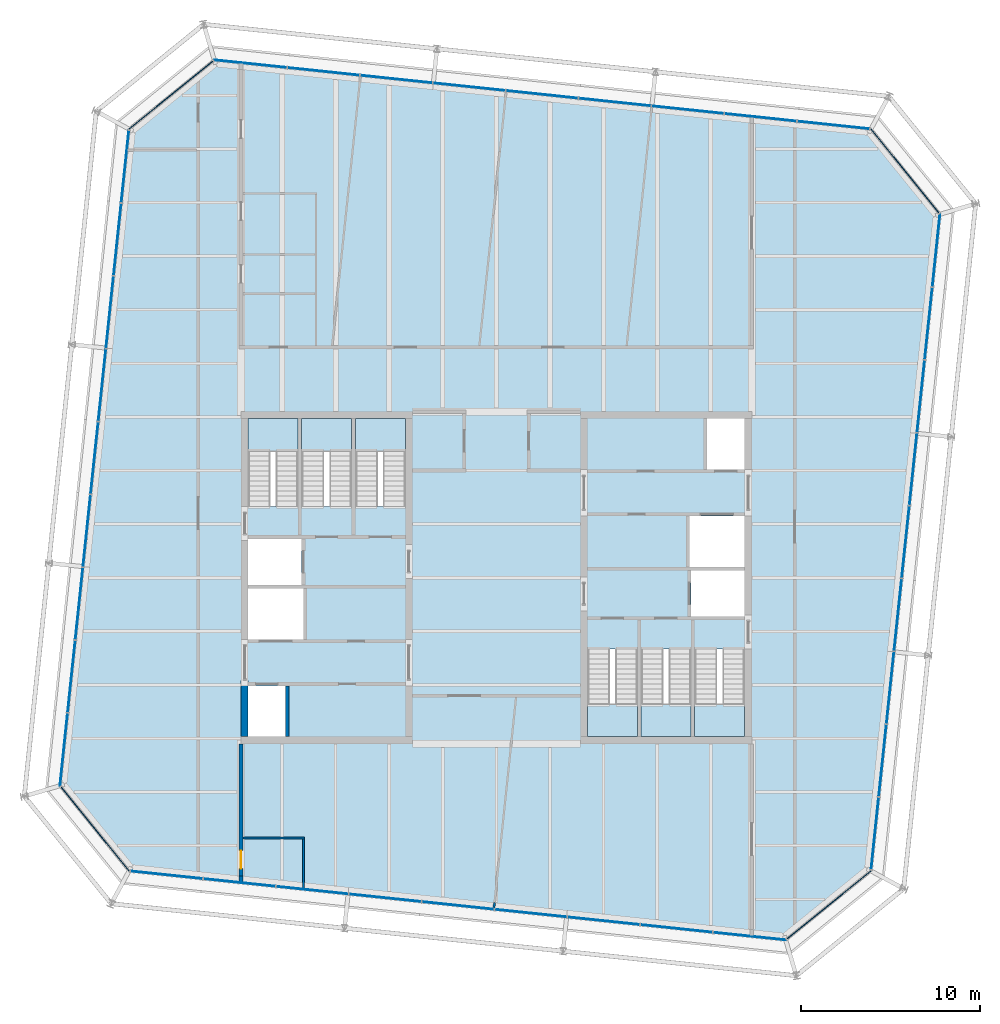
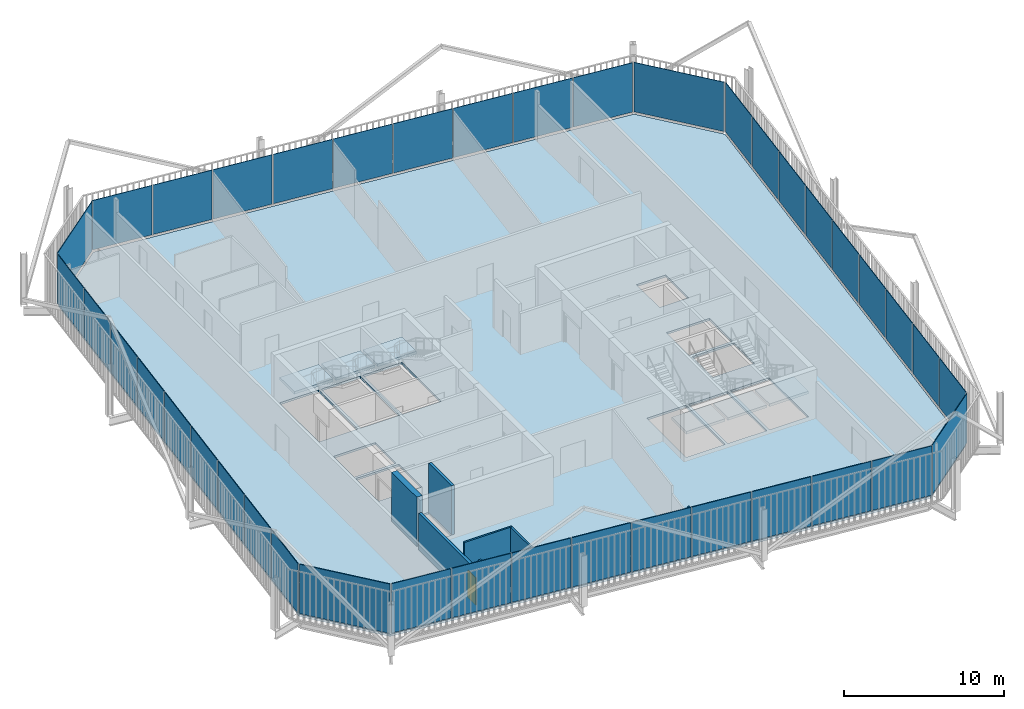
# One storey, part 16 of 21: 40 plates, 7 slabs, 7 walls, 1 door, 1 opening, 14 elements without a shape of their own.
"""IFC4 building model written with IfcOpenShell, lengths in metres."""

from ifc_helpers import new_model, si_unit, direction, frame, frame_2d, origin, place, context, subcontext, project, spatial, polyline, rectangle, outline, extrude, material, layer, layer_set, type_object, element, fill, aggregate, save


model = new_model("IFC4")

# Units and contexts
model_context = context("Model", 3, precision=1e-05, world=origin(), true_north=direction((0.0, 1.0)))
body_context = subcontext(model_context, "Body", "Model", "MODEL_VIEW")
ifc_project = project(units=[si_unit("LENGTHUNIT", "METRE"), si_unit("AREAUNIT", "SQUARE_METRE"), si_unit("VOLUMEUNIT", "CUBIC_METRE"), si_unit("PLANEANGLEUNIT", "RADIAN"), si_unit("MASSUNIT", "GRAM", prefix="KILO")], contexts=[model_context])

# Site, building, storey
site_placement = place(None, origin())
site = spatial("IfcSite", under=ifc_project, at=site_placement, CompositionType="ELEMENT")
building_placement = place(site_placement, origin())
building = spatial("IfcBuilding", under=site, at=building_placement, Name="Millrace Tower", CompositionType="ELEMENT")
storey_placement = place(building_placement, frame((0.0, 0.0, 334.300048828125)))
storey = spatial("IfcBuildingStorey", under=building, at=storey_placement, Name="L77", CompositionType="ELEMENT", Elevation=334.300048828125)

# Curtain wall, plate
ifc_material_1 = material(Name="Aluminium and glass", Category="aluminium")
ifc_layer_1 = layer(ifc_material_1, 0.14990234375)
ifc_layer_set_1 = layer_set([ifc_layer_1], Name="Aluminium and glass")
curtain_wall_type = type_object("IfcCurtainWallType", Name="CW-1 office vision curtain wall", PredefinedType="NOTDEFINED", material=ifc_layer_set_1)
placement_1 = place(storey_placement, origin())
curtain_wall_1 = element("IfcCurtainWall", 1, at=placement_1, inside=storey, type_object=curtain_wall_type, Name="Curtain wall E-F01 L77", PredefinedType="NOTDEFINED")
ifc_material_2 = material(Name="Glass", Category="glass")
ifc_layer_2 = layer(ifc_material_2, 0.0439453125)
ifc_layer_set_2 = layer_set([ifc_layer_2], Name="Glass")
plate_type = type_object("IfcPlateType", Name="CW-1 office vision curtain wall triple-glazed vision panel", PredefinedType="CURTAIN_PANEL", material=ifc_layer_set_2)
placement_2 = place(storey_placement, frame((0.0, 0.0, 0.139892578125)))
plate_1 = element("IfcPlate", 2, at=placement_2, type_object=plate_type, Name="CW1 panel E-F01.1", PredefinedType="CURTAIN_PANEL", context=body_context, shape_type="SweptSolid", body=[
    extrude(outline(polyline([(-24.388427734375, -11.732421875), (-20.5771484375, -16.439208984375), (-20.554443359375, -16.397216796875), (-24.354248046875, -11.704833984375), (-24.388427734375, -11.732421875)])), origin(), (0.0, 0.0, 1.0), 3.760009765625),
])
aggregate(curtain_wall_1, [plate_1])

# Curtain wall, plates
curtain_wall_2 = element("IfcCurtainWall", 3, at=placement_1, inside=storey, type_object=curtain_wall_type, Name="Curtain wall E-F02 L77", PredefinedType="NOTDEFINED")
plate_2 = element("IfcPlate", 4, at=placement_2, type_object=plate_type, Name="CW1 panel E-F02.1", PredefinedType="CURTAIN_PANEL", context=body_context, shape_type="SweptSolid", body=[
    extrude(outline(polyline([(-20.472412109375, -16.4501953125), (-16.45947265625, -16.871826171875), (-16.454833984375, -16.828125), (-20.4677734375, -16.40625), (-20.472412109375, -16.4501953125)])), origin(), (0.0, 0.0, 1.0), 3.760009765625),
])
plate_3 = element("IfcPlate", 5, at=placement_2, type_object=plate_type, Name="CW1 panel E-F02.2", PredefinedType="CURTAIN_PANEL", context=body_context, shape_type="SweptSolid", body=[
    extrude(outline(polyline([(-16.39501953125, -16.878662109375), (-12.382080078125, -17.300537109375), (-12.37744140625, -17.256591796875), (-16.390380859375, -16.8349609375), (-16.39501953125, -16.878662109375)])), origin(), (0.0, 0.0, 1.0), 3.760009765625),
])
plate_4 = element("IfcPlate", 6, at=placement_2, type_object=plate_type, Name="CW1 panel E-F02.3", PredefinedType="CURTAIN_PANEL", context=body_context, shape_type="SweptSolid", body=[
    extrude(outline(polyline([(-12.3173828125, -17.30712890625), (-8.304443359375, -17.72900390625), (-8.2998046875, -17.685302734375), (-12.312744140625, -17.263427734375), (-12.3173828125, -17.30712890625)])), origin(), (0.0, 0.0, 1.0), 3.760009765625),
])
plate_5 = element("IfcPlate", 7, at=placement_2, type_object=plate_type, Name="CW1 panel E-F02.4", PredefinedType="CURTAIN_PANEL", context=body_context, shape_type="SweptSolid", body=[
    extrude(outline(polyline([(-8.23974609375, -17.73583984375), (-4.22705078125, -18.157470703125), (-4.222412109375, -18.11376953125), (-8.235107421875, -17.692138671875), (-8.23974609375, -17.73583984375)])), origin(), (0.0, 0.0, 1.0), 3.760009765625),
])
plate_6 = element("IfcPlate", 8, at=placement_2, type_object=plate_type, Name="CW1 panel E-F02.5", PredefinedType="CURTAIN_PANEL", context=body_context, shape_type="SweptSolid", body=[
    extrude(outline(polyline([(-4.162353515625, -18.164306640625), (-0.1494140625, -18.586181640625), (-0.144775390625, -18.54248046875), (-4.15771484375, -18.12060546875), (-4.162353515625, -18.164306640625)])), origin(), (0.0, 0.0, 1.0), 3.760009765625),
])
plate_7 = element("IfcPlate", 9, at=placement_2, type_object=plate_type, Name="CW1 panel E-F02.6", PredefinedType="CURTAIN_PANEL", context=body_context, shape_type="SweptSolid", body=[
    extrude(outline(polyline([(-0.084716796875, -18.593017578125), (3.92822265625, -19.0146484375), (3.932861328125, -18.970947265625), (-0.080078125, -18.549072265625), (-0.084716796875, -18.593017578125)])), origin(), (0.0, 0.0, 1.0), 3.760009765625),
])
plate_8 = element("IfcPlate", 10, at=placement_2, type_object=plate_type, Name="CW1 panel E-F02.7", PredefinedType="CURTAIN_PANEL", context=body_context, shape_type="SweptSolid", body=[
    extrude(outline(polyline([(3.99267578125, -19.021484375), (8.005615234375, -19.443359375), (8.01025390625, -19.3994140625), (3.997314453125, -18.977783203125), (3.99267578125, -19.021484375)])), origin(), (0.0, 0.0, 1.0), 3.760009765625),
])
plate_9 = element("IfcPlate", 11, at=placement_2, type_object=plate_type, Name="CW1 panel E-F02.8", PredefinedType="CURTAIN_PANEL", context=body_context, shape_type="SweptSolid", body=[
    extrude(outline(polyline([(8.0703125, -19.449951171875), (12.083251953125, -19.871826171875), (12.087890625, -19.828125), (8.074951171875, -19.40625), (8.0703125, -19.449951171875)])), origin(), (0.0, 0.0, 1.0), 3.760009765625),
])
plate_10 = element("IfcPlate", 12, at=placement_2, type_object=plate_type, Name="CW1 panel E-F02.9", PredefinedType="CURTAIN_PANEL", context=body_context, shape_type="SweptSolid", body=[
    extrude(outline(polyline([(12.14794921875, -19.878662109375), (16.20068359375, -20.3046875), (16.187255859375, -20.259033203125), (12.152587890625, -19.8349609375), (12.14794921875, -19.878662109375)])), origin(), (0.0, 0.0, 1.0), 3.760009765625),
])
aggregate(curtain_wall_2, [plate_2, plate_3, plate_4, plate_5, plate_6, plate_7, plate_8, plate_9, plate_10])

# Curtain wall, plate
curtain_wall_3 = element("IfcCurtainWall", 13, at=placement_1, inside=storey, type_object=curtain_wall_type, Name="Curtain wall E-F03 L77", PredefinedType="NOTDEFINED")
plate_11 = element("IfcPlate", 14, at=placement_2, type_object=plate_type, Name="CW1 panel E-F03.1", PredefinedType="CURTAIN_PANEL", context=body_context, shape_type="SweptSolid", body=[
    extrude(outline(polyline([(16.282470703125, -20.23828125), (20.989013671875, -16.427001953125), (20.947265625, -16.404296875), (16.2548828125, -20.2041015625), (16.282470703125, -20.23828125)])), origin(), (0.0, 0.0, 1.0), 3.760009765625),
])
aggregate(curtain_wall_3, [plate_11])

# Curtain wall, plates
curtain_wall_4 = element("IfcCurtainWall", 15, at=placement_1, inside=storey, type_object=curtain_wall_type, Name="Curtain wall E-F04 L77", PredefinedType="NOTDEFINED")
plate_12 = element("IfcPlate", 16, at=placement_2, type_object=plate_type, Name="CW1 panel E-F04.1", PredefinedType="CURTAIN_PANEL", context=body_context, shape_type="SweptSolid", body=[
    extrude(outline(polyline([(21.0, -16.322509765625), (21.421875, -12.3095703125), (21.378173828125, -12.304931640625), (20.956298828125, -16.31787109375), (21.0, -16.322509765625)])), origin(), (0.0, 0.0, 1.0), 3.760009765625),
])
plate_13 = element("IfcPlate", 17, at=placement_2, type_object=plate_type, Name="CW1 panel E-F04.2", PredefinedType="CURTAIN_PANEL", context=body_context, shape_type="SweptSolid", body=[
    extrude(outline(polyline([(21.4287109375, -12.244873046875), (21.850341796875, -8.23193359375), (21.806640625, -8.227294921875), (21.385009765625, -12.240234375), (21.4287109375, -12.244873046875)])), origin(), (0.0, 0.0, 1.0), 3.760009765625),
])
plate_14 = element("IfcPlate", 18, at=placement_2, type_object=plate_type, Name="CW1 panel E-F04.3", PredefinedType="CURTAIN_PANEL", context=body_context, shape_type="SweptSolid", body=[
    extrude(outline(polyline([(21.857177734375, -8.16748046875), (22.279052734375, -4.154541015625), (22.2353515625, -4.14990234375), (21.8134765625, -8.162841796875), (21.857177734375, -8.16748046875)])), origin(), (0.0, 0.0, 1.0), 3.760009765625),
])
plate_15 = element("IfcPlate", 19, at=placement_2, type_object=plate_type, Name="CW1 panel E-F04.4", PredefinedType="CURTAIN_PANEL", context=body_context, shape_type="SweptSolid", body=[
    extrude(outline(polyline([(22.285888671875, -4.08984375), (22.70751953125, -0.076904296875), (22.663818359375, -0.072265625), (22.241943359375, -4.085205078125), (22.285888671875, -4.08984375)])), origin(), (0.0, 0.0, 1.0), 3.760009765625),
])
plate_16 = element("IfcPlate", 20, at=placement_2, type_object=plate_type, Name="CW1 panel E-F04.5", PredefinedType="CURTAIN_PANEL", context=body_context, shape_type="SweptSolid", body=[
    extrude(outline(polyline([(22.71435546875, -0.01220703125), (23.13623046875, 4.00048828125), (23.09228515625, 4.005126953125), (22.670654296875, -0.007568359375), (22.71435546875, -0.01220703125)])), origin(), (0.0, 0.0, 1.0), 3.760009765625),
])
plate_17 = element("IfcPlate", 21, at=placement_2, type_object=plate_type, Name="CW1 panel E-F04.6", PredefinedType="CURTAIN_PANEL", context=body_context, shape_type="SweptSolid", body=[
    extrude(outline(polyline([(23.142822265625, 4.065185546875), (23.564697265625, 8.078125), (23.52099609375, 8.082763671875), (23.09912109375, 4.06982421875), (23.142822265625, 4.065185546875)])), origin(), (0.0, 0.0, 1.0), 3.760009765625),
])
plate_18 = element("IfcPlate", 22, at=placement_2, type_object=plate_type, Name="CW1 panel E-F04.7", PredefinedType="CURTAIN_PANEL", context=body_context, shape_type="SweptSolid", body=[
    extrude(outline(polyline([(23.571533203125, 8.142822265625), (23.9931640625, 12.15576171875), (23.949462890625, 12.160400390625), (23.52783203125, 8.1474609375), (23.571533203125, 8.142822265625)])), origin(), (0.0, 0.0, 1.0), 3.760009765625),
])
plate_19 = element("IfcPlate", 23, at=placement_2, type_object=plate_type, Name="CW1 panel E-F04.8", PredefinedType="CURTAIN_PANEL", context=body_context, shape_type="SweptSolid", body=[
    extrude(outline(polyline([(24.0, 12.22021484375), (24.421875, 16.233154296875), (24.378173828125, 16.23779296875), (23.956298828125, 12.224853515625), (24.0, 12.22021484375)])), origin(), (0.0, 0.0, 1.0), 3.760009765625),
])
plate_20 = element("IfcPlate", 24, at=placement_2, type_object=plate_type, Name="CW1 panel E-F04.9", PredefinedType="CURTAIN_PANEL", context=body_context, shape_type="SweptSolid", body=[
    extrude(outline(polyline([(24.4287109375, 16.2978515625), (24.8544921875, 20.350830078125), (24.808837890625, 20.337158203125), (24.384765625, 16.302490234375), (24.4287109375, 16.2978515625)])), origin(), (0.0, 0.0, 1.0), 3.760009765625),
])
aggregate(curtain_wall_4, [plate_12, plate_13, plate_14, plate_15, plate_16, plate_17, plate_18, plate_19, plate_20])

# Curtain wall, plate
curtain_wall_5 = element("IfcCurtainWall", 25, at=placement_1, inside=storey, type_object=curtain_wall_type, Name="Curtain wall E-F05 L77", PredefinedType="NOTDEFINED")
plate_21 = element("IfcPlate", 26, at=placement_2, type_object=plate_type, Name="CW1 panel E-F05.1", PredefinedType="CURTAIN_PANEL", context=body_context, shape_type="SweptSolid", body=[
    extrude(outline(polyline([(24.788330078125, 20.432373046875), (20.97705078125, 25.13916015625), (20.954345703125, 25.09716796875), (24.754150390625, 20.40478515625), (24.788330078125, 20.432373046875)])), origin(), (0.0, 0.0, 1.0), 3.760009765625),
])
aggregate(curtain_wall_5, [plate_21])

# Curtain wall, plates
curtain_wall_6 = element("IfcCurtainWall", 27, at=placement_1, inside=storey, type_object=curtain_wall_type, Name="Curtain wall E-F06 L77", PredefinedType="NOTDEFINED")
plate_22 = element("IfcPlate", 28, at=placement_2, type_object=plate_type, Name="CW1 panel E-F06.1", PredefinedType="CURTAIN_PANEL", context=body_context, shape_type="SweptSolid", body=[
    extrude(outline(polyline([(20.87255859375, 25.150146484375), (16.859619140625, 25.57177734375), (16.85498046875, 25.528076171875), (20.867919921875, 25.1064453125), (20.87255859375, 25.150146484375)])), origin(), (0.0, 0.0, 1.0), 3.760009765625),
])
plate_23 = element("IfcPlate", 29, at=placement_2, type_object=plate_type, Name="CW1 panel E-F06.2", PredefinedType="CURTAIN_PANEL", context=body_context, shape_type="SweptSolid", body=[
    extrude(outline(polyline([(16.794921875, 25.57861328125), (12.781982421875, 26.00048828125), (12.77734375, 25.956787109375), (16.790283203125, 25.534912109375), (16.794921875, 25.57861328125)])), origin(), (0.0, 0.0, 1.0), 3.760009765625),
])
plate_24 = element("IfcPlate", 30, at=placement_2, type_object=plate_type, Name="CW1 panel E-F06.3", PredefinedType="CURTAIN_PANEL", context=body_context, shape_type="SweptSolid", body=[
    extrude(outline(polyline([(12.71728515625, 26.00732421875), (8.70458984375, 26.428955078125), (8.699951171875, 26.38525390625), (12.712646484375, 25.96337890625), (12.71728515625, 26.00732421875)])), origin(), (0.0, 0.0, 1.0), 3.760009765625),
])
plate_25 = element("IfcPlate", 31, at=placement_2, type_object=plate_type, Name="CW1 panel E-F06.4", PredefinedType="CURTAIN_PANEL", context=body_context, shape_type="SweptSolid", body=[
    extrude(outline(polyline([(8.639892578125, 26.435791015625), (4.626953125, 26.857666015625), (4.622314453125, 26.813720703125), (8.63525390625, 26.39208984375), (8.639892578125, 26.435791015625)])), origin(), (0.0, 0.0, 1.0), 3.760009765625),
])
plate_26 = element("IfcPlate", 32, at=placement_2, type_object=plate_type, Name="CW1 panel E-F06.5", PredefinedType="CURTAIN_PANEL", context=body_context, shape_type="SweptSolid", body=[
    extrude(outline(polyline([(4.562255859375, 26.8642578125), (0.54931640625, 27.2861328125), (0.544677734375, 27.242431640625), (4.5576171875, 26.820556640625), (4.562255859375, 26.8642578125)])), origin(), (0.0, 0.0, 1.0), 3.760009765625),
])
plate_27 = element("IfcPlate", 33, at=placement_2, type_object=plate_type, Name="CW1 panel E-F06.6", PredefinedType="CURTAIN_PANEL", context=body_context, shape_type="SweptSolid", body=[
    extrude(outline(polyline([(0.48486328125, 27.29296875), (-3.528076171875, 27.714599609375), (-3.53271484375, 27.6708984375), (0.480224609375, 27.249267578125), (0.48486328125, 27.29296875)])), origin(), (0.0, 0.0, 1.0), 3.760009765625),
])
plate_28 = element("IfcPlate", 34, at=placement_2, type_object=plate_type, Name="CW1 panel E-F06.7", PredefinedType="CURTAIN_PANEL", context=body_context, shape_type="SweptSolid", body=[
    extrude(outline(polyline([(-3.5927734375, 27.721435546875), (-7.605712890625, 28.143310546875), (-7.6103515625, 28.099609375), (-3.597412109375, 27.677734375), (-3.5927734375, 27.721435546875)])), origin(), (0.0, 0.0, 1.0), 3.760009765625),
])
plate_29 = element("IfcPlate", 35, at=placement_2, type_object=plate_type, Name="CW1 panel E-F06.8", PredefinedType="CURTAIN_PANEL", context=body_context, shape_type="SweptSolid", body=[
    extrude(outline(polyline([(-7.67041015625, 28.150146484375), (-11.68310546875, 28.57177734375), (-11.687744140625, 28.528076171875), (-7.675048828125, 28.106201171875), (-7.67041015625, 28.150146484375)])), origin(), (0.0, 0.0, 1.0), 3.760009765625),
])
plate_30 = element("IfcPlate", 36, at=placement_2, type_object=plate_type, Name="CW1 panel E-F06.9", PredefinedType="CURTAIN_PANEL", context=body_context, shape_type="SweptSolid", body=[
    extrude(outline(polyline([(-11.747802734375, 28.57861328125), (-15.80078125, 29.004638671875), (-15.787109375, 28.958984375), (-11.75244140625, 28.534912109375), (-11.747802734375, 28.57861328125)])), origin(), (0.0, 0.0, 1.0), 3.760009765625),
])
aggregate(curtain_wall_6, [plate_22, plate_23, plate_24, plate_25, plate_26, plate_27, plate_28, plate_29, plate_30])

# Curtain wall, plate
curtain_wall_7 = element("IfcCurtainWall", 37, at=placement_1, inside=storey, type_object=curtain_wall_type, Name="Curtain wall E-F07 L77", PredefinedType="NOTDEFINED")
plate_31 = element("IfcPlate", 38, at=placement_2, type_object=plate_type, Name="CW1 panel E-F07.1", PredefinedType="CURTAIN_PANEL", context=body_context, shape_type="SweptSolid", body=[
    extrude(outline(polyline([(-15.882568359375, 28.9384765625), (-20.589111328125, 25.126953125), (-20.547119140625, 25.104248046875), (-15.854736328125, 28.904296875), (-15.882568359375, 28.9384765625)])), origin(), (0.0, 0.0, 1.0), 3.760009765625),
])
aggregate(curtain_wall_7, [plate_31])

# Curtain wall, plates
curtain_wall_8 = element("IfcCurtainWall", 39, at=placement_1, inside=storey, type_object=curtain_wall_type, Name="Curtain wall E-F08 L77", PredefinedType="NOTDEFINED")
plate_32 = element("IfcPlate", 40, at=placement_2, type_object=plate_type, Name="CW1 panel E-F08.1", PredefinedType="CURTAIN_PANEL", context=body_context, shape_type="SweptSolid", body=[
    extrude(outline(polyline([(-20.60009765625, 25.0224609375), (-21.02197265625, 21.009521484375), (-20.97802734375, 21.0048828125), (-20.556396484375, 25.017822265625), (-20.60009765625, 25.0224609375)])), origin(), (0.0, 0.0, 1.0), 3.760009765625),
])
plate_33 = element("IfcPlate", 41, at=placement_2, type_object=plate_type, Name="CW1 panel E-F08.2", PredefinedType="CURTAIN_PANEL", context=body_context, shape_type="SweptSolid", body=[
    extrude(outline(polyline([(-21.028564453125, 20.94482421875), (-21.450439453125, 16.93212890625), (-21.40673828125, 16.927490234375), (-20.98486328125, 20.9404296875), (-21.028564453125, 20.94482421875)])), origin(), (0.0, 0.0, 1.0), 3.760009765625),
])
plate_34 = element("IfcPlate", 42, at=placement_2, type_object=plate_type, Name="CW1 panel E-F08.3", PredefinedType="CURTAIN_PANEL", context=body_context, shape_type="SweptSolid", body=[
    extrude(outline(polyline([(-21.457275390625, 16.867431640625), (-21.87890625, 12.8544921875), (-21.835205078125, 12.849853515625), (-21.41357421875, 16.86279296875), (-21.457275390625, 16.867431640625)])), origin(), (0.0, 0.0, 1.0), 3.760009765625),
])
plate_35 = element("IfcPlate", 43, at=placement_2, type_object=plate_type, Name="CW1 panel E-F08.4", PredefinedType="CURTAIN_PANEL", context=body_context, shape_type="SweptSolid", body=[
    extrude(outline(polyline([(-21.8857421875, 12.789794921875), (-22.3076171875, 8.77685546875), (-22.263916015625, 8.772216796875), (-21.842041015625, 12.78515625), (-21.8857421875, 12.789794921875)])), origin(), (0.0, 0.0, 1.0), 3.760009765625),
])
plate_36 = element("IfcPlate", 44, at=placement_2, type_object=plate_type, Name="CW1 panel E-F08.5", PredefinedType="CURTAIN_PANEL", context=body_context, shape_type="SweptSolid", body=[
    extrude(outline(polyline([(-22.314453125, 8.71240234375), (-22.736083984375, 4.699462890625), (-22.6923828125, 4.69482421875), (-22.2705078125, 8.707763671875), (-22.314453125, 8.71240234375)])), origin(), (0.0, 0.0, 1.0), 3.760009765625),
])
plate_37 = element("IfcPlate", 45, at=placement_2, type_object=plate_type, Name="CW1 panel E-F08.6", PredefinedType="CURTAIN_PANEL", context=body_context, shape_type="SweptSolid", body=[
    extrude(outline(polyline([(-22.742919921875, 4.634765625), (-23.164794921875, 0.621826171875), (-23.120849609375, 0.6171875), (-22.69921875, 4.630126953125), (-22.742919921875, 4.634765625)])), origin(), (0.0, 0.0, 1.0), 3.760009765625),
])
plate_38 = element("IfcPlate", 46, at=placement_2, type_object=plate_type, Name="CW1 panel E-F08.7", PredefinedType="CURTAIN_PANEL", context=body_context, shape_type="SweptSolid", body=[
    extrude(outline(polyline([(-23.17138671875, 0.55712890625), (-23.59326171875, -3.45556640625), (-23.549560546875, -3.460205078125), (-23.127685546875, 0.552490234375), (-23.17138671875, 0.55712890625)])), origin(), (0.0, 0.0, 1.0), 3.760009765625),
])
plate_39 = element("IfcPlate", 47, at=placement_2, type_object=plate_type, Name="CW1 panel E-F08.8", PredefinedType="CURTAIN_PANEL", context=body_context, shape_type="SweptSolid", body=[
    extrude(outline(polyline([(-23.60009765625, -3.520263671875), (-24.021728515625, -7.533203125), (-23.97802734375, -7.537841796875), (-23.556396484375, -3.52490234375), (-23.60009765625, -3.520263671875)])), origin(), (0.0, 0.0, 1.0), 3.760009765625),
])
plate_40 = element("IfcPlate", 48, at=placement_2, type_object=plate_type, Name="CW1 panel E-F08.9", PredefinedType="CURTAIN_PANEL", context=body_context, shape_type="SweptSolid", body=[
    extrude(outline(polyline([(-24.028564453125, -7.597900390625), (-24.45458984375, -11.650634765625), (-24.408935546875, -11.63720703125), (-23.98486328125, -7.6025390625), (-24.028564453125, -7.597900390625)])), origin(), (0.0, 0.0, 1.0), 3.760009765625),
])
aggregate(curtain_wall_8, [plate_32, plate_33, plate_34, plate_35, plate_36, plate_37, plate_38, plate_39, plate_40])

# Slab
ifc_material_3 = material(Name="Concrete C35 on steel deck", Category="concrete")
ifc_layer_3 = layer(ifc_material_3, 0.159912109375)
ifc_layer_set_3 = layer_set([ifc_layer_3], Name="Concrete C35 on steel deck")
slab_type_1 = type_object("IfcSlabType", Name="Composite floor slab 160 mm", PredefinedType="FLOOR", material=ifc_layer_set_3)
slab_1_placement = place(storey_placement, frame((0.0, 0.0, -0.16015625)))
element("IfcSlab", 49, at=slab_1_placement, inside=storey, type_object=slab_type_1, Name="SL-E-L77-S1", PredefinedType="FLOOR", context=body_context, shape_type="SweptSolid", body=[
    extrude(outline(polyline([(-24.35400390625, -11.620849609375), (-20.52685546875, -16.346923828125), (16.1708984375, -20.203857421875), (20.896728515625, -16.376953125), (24.75390625, 20.32080078125), (20.927001953125, 25.046875), (-15.77099609375, 28.90380859375), (-20.496826171875, 25.076904296875), (-24.35400390625, -11.620849609375)]), holes=[polyline([(-13.89990234375, -8.89990234375), (-11.800048828125, -8.89990234375), (-11.800048828125, -6.050048828125), (-13.89990234375, -6.050048828125), (-13.89990234375, -8.89990234375)]), polyline([(-13.89990234375, -3.449951171875), (-10.800048828125, -3.449951171875), (-10.800048828125, -0.60009765625), (-13.89990234375, -0.60009765625), (-13.89990234375, -3.449951171875)]), polyline([(-13.89990234375, -0.39990234375), (-10.89990234375, -0.39990234375), (-10.89990234375, 2.179931640625), (-13.89990234375, 2.179931640625), (-13.89990234375, -0.39990234375)]), polyline([(-13.89990234375, 4.0), (-11.10009765625, 4.0), (-11.10009765625, 8.89990234375), (-13.89990234375, 8.89990234375), (-13.89990234375, 4.0)]), polyline([(-10.89990234375, 4.0), (-8.10009765625, 4.0), (-8.10009765625, 8.89990234375), (-10.89990234375, 8.89990234375), (-10.89990234375, 4.0)]), polyline([(-7.89990234375, 4.0), (-5.10009765625, 4.0), (-5.10009765625, 8.89990234375), (-7.89990234375, 8.89990234375), (-7.89990234375, 4.0)]), polyline([(11.800048828125, 6.050048828125), (13.89990234375, 6.050048828125), (13.89990234375, 8.89990234375), (11.800048828125, 8.89990234375), (11.800048828125, 6.050048828125)]), polyline([(10.800048828125, 0.60009765625), (13.89990234375, 0.60009765625), (13.89990234375, 3.449951171875), (10.800048828125, 3.449951171875), (10.800048828125, 0.60009765625)]), polyline([(10.89990234375, -2.179931640625), (13.89990234375, -2.179931640625), (13.89990234375, 0.39990234375), (10.89990234375, 0.39990234375), (10.89990234375, -2.179931640625)]), polyline([(11.10009765625, -8.89990234375), (13.89990234375, -8.89990234375), (13.89990234375, -4.0), (11.10009765625, -4.0), (11.10009765625, -8.89990234375)]), polyline([(8.10009765625, -8.89990234375), (10.89990234375, -8.89990234375), (10.89990234375, -4.0), (8.10009765625, -4.0), (8.10009765625, -8.89990234375)]), polyline([(5.10009765625, -8.89990234375), (7.89990234375, -8.89990234375), (7.89990234375, -4.0), (5.10009765625, -4.0), (5.10009765625, -8.89990234375)])]), origin(), (0.0, 0.0, 1.0), 0.16015625),
])

# Stair, slab
ifc_material_4 = material(Name="Concrete C35", Category="concrete")
stair_type = type_object("IfcStairType", Name="Exit stair", PredefinedType="HALF_TURN_STAIR", material=ifc_material_4)
stair_1 = element("IfcStair", 50, at=placement_1, inside=storey, type_object=stair_type, Name="Stair 1 W L77", PredefinedType="HALF_TURN_STAIR")
ifc_material_5 = material(Name="Concrete C40", Category="concrete")
ifc_layer_4 = layer(ifc_material_5, 0.199951171875)
ifc_layer_set_4 = layer_set([ifc_layer_4], Name="Concrete C40")
slab_type_2 = type_object("IfcSlabType", Name="Stair landing", PredefinedType="LANDING", material=ifc_layer_set_4)
placement_3 = place(storey_placement, frame((0.0, 0.0, 1.75)))
slab_2 = element("IfcSlab", 51, at=placement_3, type_object=slab_type_2, Name="ST12 landing 1", PredefinedType="LANDING", context=body_context, shape_type="SweptSolid", body=[
    extrude(outline(polyline([(-13.89990234375, 7.080078125), (-11.10009765625, 7.080078125), (-11.10009765625, 8.89990234375), (-13.89990234375, 8.89990234375), (-13.89990234375, 7.080078125)])), origin(), (0.0, 0.0, 1.0), 0.199951171875),
])
aggregate(stair_1, [slab_2])

stair_2 = element("IfcStair", 52, at=placement_1, inside=storey, type_object=stair_type, Name="Stair 2 W L77", PredefinedType="HALF_TURN_STAIR")
slab_3 = element("IfcSlab", 53, at=placement_3, type_object=slab_type_2, Name="ST12 landing 1", PredefinedType="LANDING", context=body_context, shape_type="SweptSolid", body=[
    extrude(outline(polyline([(-10.89990234375, 7.080078125), (-8.10009765625, 7.080078125), (-8.10009765625, 8.89990234375), (-10.89990234375, 8.89990234375), (-10.89990234375, 7.080078125)])), origin(), (0.0, 0.0, 1.0), 0.199951171875),
])
aggregate(stair_2, [slab_3])

stair_3 = element("IfcStair", 54, at=placement_1, inside=storey, type_object=stair_type, Name="Stair 3 W L77", PredefinedType="HALF_TURN_STAIR")
slab_4 = element("IfcSlab", 55, at=placement_3, type_object=slab_type_2, Name="ST12 landing 1", PredefinedType="LANDING", context=body_context, shape_type="SweptSolid", body=[
    extrude(outline(polyline([(-7.89990234375, 7.080078125), (-5.10009765625, 7.080078125), (-5.10009765625, 8.89990234375), (-7.89990234375, 8.89990234375), (-7.89990234375, 7.080078125)])), origin(), (0.0, 0.0, 1.0), 0.199951171875),
])
aggregate(stair_3, [slab_4])

stair_4 = element("IfcStair", 56, at=placement_1, inside=storey, type_object=stair_type, Name="Stair 1 E L77", PredefinedType="HALF_TURN_STAIR")
slab_5 = element("IfcSlab", 57, at=placement_3, type_object=slab_type_2, Name="ST12 landing 1", PredefinedType="LANDING", context=body_context, shape_type="SweptSolid", body=[
    extrude(outline(polyline([(11.10009765625, -8.89990234375), (13.89990234375, -8.89990234375), (13.89990234375, -7.080078125), (11.10009765625, -7.080078125), (11.10009765625, -8.89990234375)])), origin(), (0.0, 0.0, 1.0), 0.199951171875),
])
aggregate(stair_4, [slab_5])

stair_5 = element("IfcStair", 58, at=placement_1, inside=storey, type_object=stair_type, Name="Stair 2 E L77", PredefinedType="HALF_TURN_STAIR")
slab_6 = element("IfcSlab", 59, at=placement_3, type_object=slab_type_2, Name="ST12 landing 1", PredefinedType="LANDING", context=body_context, shape_type="SweptSolid", body=[
    extrude(outline(polyline([(8.10009765625, -8.89990234375), (10.89990234375, -8.89990234375), (10.89990234375, -7.080078125), (8.10009765625, -7.080078125), (8.10009765625, -8.89990234375)])), origin(), (0.0, 0.0, 1.0), 0.199951171875),
])
aggregate(stair_5, [slab_6])

stair_6 = element("IfcStair", 60, at=placement_1, inside=storey, type_object=stair_type, Name="Stair 3 E L77", PredefinedType="HALF_TURN_STAIR")
slab_7 = element("IfcSlab", 61, at=placement_3, type_object=slab_type_2, Name="ST12 landing 1", PredefinedType="LANDING", context=body_context, shape_type="SweptSolid", body=[
    extrude(outline(polyline([(5.10009765625, -8.89990234375), (7.89990234375, -8.89990234375), (7.89990234375, -7.080078125), (5.10009765625, -7.080078125), (5.10009765625, -8.89990234375)])), origin(), (0.0, 0.0, 1.0), 0.199951171875),
])
aggregate(stair_6, [slab_7])

# Walls
ifc_material_6 = material(Name="Concrete C60", Category="concrete")
ifc_layer_5 = layer(ifc_material_6, 0.39990234375)
ifc_layer_set_5 = layer_set([ifc_layer_5], Name="Concrete C60")
wall_type_1 = type_object("IfcWallType", Name="Core wall 400 Concrete C60", PredefinedType="SHEAR", material=ifc_layer_set_5)
wall_1_placement = place(storey_placement, frame((-14.10009765625, -8.89990234375, 0.0), z_axis=(0.0, 0.0, 1.0), x_axis=(0.0, 1.0, 0.0)))
element("IfcWall", 62, at=wall_1_placement, inside=storey, type_object=wall_type_1, Name="Core wall W L77", PredefinedType="SHEAR", context=body_context, shape_type="SweptSolid", body=[
    extrude(rectangle(XDim=3.14990234375, YDim=0.39990234375, at=frame_2d((1.574951171875, 0.0))), origin(), (0.0, 0.0, 1.0), 3.739990234375),
])
ifc_material_7 = material(Name="Masonry partition, fire-rated", Category="masonry")
ifc_layer_6 = layer(ifc_material_7, 0.199951171875)
ifc_layer_set_6 = layer_set([ifc_layer_6], Name="Masonry partition, fire-rated")
wall_type_2 = type_object("IfcWallType", Name="Corridor wall 200", PredefinedType="PARTITIONING", material=ifc_layer_set_6)
wall_2_placement = place(storey_placement, frame((-14.300048828125, -17.031494140625, 0.0), z_axis=(0.0, 0.0, 1.0), x_axis=(0.0, 1.0, 0.0)))
element("IfcWall", 63, at=wall_2_placement, inside=storey, type_object=wall_type_2, Name="Corridor wall L77", PredefinedType="PARTITIONING", context=body_context, shape_type="SweptSolid", body=[
    extrude(rectangle(XDim=0.339111328125, YDim=0.199951171875, at=frame_2d((0.16943359375, 0.0))), origin(), (0.0, 0.0, 1.0), 3.739990234375),
])

# Wall, opening, door
wall_3_placement = place(storey_placement, frame((-14.300048828125, -16.6923828125, 0.0), z_axis=(0.0, 0.0, 1.0), x_axis=(0.0, 1.0, 0.0)))
wall_3 = element("IfcWall", 64, at=wall_3_placement, inside=storey, type_object=wall_type_2, Name="Corridor wall L77", PredefinedType="PARTITIONING", context=body_context, shape_type="SweptSolid", body=[
    extrude(rectangle(XDim=7.392333984375, YDim=0.199951171875, at=frame_2d((3.6962890625, 0.0))), origin(), (0.0, 0.0, 1.0), 2.812744140625),
])
opening_placement = place(wall_3_placement, frame((0.411376953125, 0.0, 0.0)))
opening = element("IfcOpeningElement", 65, at=opening_placement, cuts=wall_3, Name="Opening 77-P014", PredefinedType="OPENING", context=body_context, shape_type="SweptSolid", body=[
    extrude(rectangle(XDim=1.0, YDim=2.10009765625, at=frame_2d((0.5, 1.050048828125))), frame((0.0, 0.10986328125, 0.0), z_axis=(0.0, -1.0, 0.0), x_axis=(1.0, 0.0, 0.0)), (0.0, 0.0, 1.0), 0.219970703125),
])
ifc_material_8 = material(Name="Steel door set, fire-rated", Category="steel")
door_type = type_object("IfcDoorType", Name="Corridor door 1000 x 2100", OperationType="SINGLE_SWING_LEFT", PredefinedType="DOOR", material=ifc_material_8)
door_placement = place(opening_placement, frame((1.0, 0.0, 0.0), z_axis=(0.0, 0.0, 1.0), x_axis=(-1.0, 0.0, 0.0)))
door = element("IfcDoor", 66, at=door_placement, inside=storey, type_object=door_type, Name="Door 77-P014", OperationType="SINGLE_SWING_RIGHT", OverallHeight=2.10009765625, OverallWidth=1.0, PredefinedType="DOOR", context=body_context, shape_type="SweptSolid", body=[
    extrude(rectangle(XDim=1.0, YDim=2.10009765625, at=frame_2d((0.5, 1.050048828125))), frame((0.0, 0.02490234375, 0.0), z_axis=(0.0, -1.0, 0.0), x_axis=(1.0, 0.0, 0.0)), (0.0, 0.0, 1.0), 0.050048828125),
])
fill(opening, door)

# Walls
ifc_material_9 = material(Name="Masonry partition, fire-rated", Category="masonry")
ifc_layer_7 = layer(ifc_material_9, 0.199951171875)
ifc_layer_set_7 = layer_set([ifc_layer_7], Name="Masonry partition, fire-rated")
wall_type_3 = type_object("IfcWallType", Name="Lift shaft wall 200", PredefinedType="PARTITIONING", material=ifc_layer_set_7)
wall_4_placement = place(storey_placement, frame((-11.699951171875, -8.89990234375, 0.0), z_axis=(0.0, 0.0, 1.0), x_axis=(0.0, 1.0, 0.0)))
element("IfcWall", 67, at=wall_4_placement, inside=storey, type_object=wall_type_3, Name="Lift shaft wall W L77", PredefinedType="PARTITIONING", context=body_context, shape_type="SweptSolid", body=[
    extrude(rectangle(XDim=2.849853515625, YDim=0.199951171875, at=frame_2d((1.4248046875, 0.0))), origin(), (0.0, 0.0, 1.0), 3.739990234375),
])
ifc_material_10 = material(Name="Gypsum board partition")
ifc_layer_8 = layer(ifc_material_10, 0.1201171875)
ifc_layer_set_8 = layer_set([ifc_layer_8], Name="Gypsum board partition")
wall_type_4 = type_object("IfcWallType", Name="Partition wall 120", PredefinedType="PARTITIONING", material=ifc_layer_set_8)
wall_5_placement = place(storey_placement, frame((-14.199951171875, -14.5810546875, 0.0), z_axis=(0.0, 0.0, 1.0), x_axis=(1.0, 0.0, 0.0)))
element("IfcWall", 68, at=wall_5_placement, inside=storey, type_object=wall_type_4, Name="Partition wall L77", PredefinedType="PARTITIONING", context=body_context, shape_type="SweptSolid", body=[
    extrude(rectangle(XDim=3.4599609375, YDim=0.1201171875, at=frame_2d((1.72998046875, 0.0))), origin(), (0.0, 0.0, 1.0), 3.739990234375),
])
wall_6_placement = place(storey_placement, frame((-0.14208984375, -18.51953125, 0.0), z_axis=(0.0, 0.0, 1.0), x_axis=(0.104219761224, 0.994554292822, 0.0)))
element("IfcWall", 69, at=wall_6_placement, inside=storey, type_object=wall_type_4, Name="Partition wall L77", PredefinedType="PARTITIONING", context=body_context, shape_type="SweptSolid", body=[
    extrude(rectangle(XDim=0.327880859375, YDim=0.1201171875, at=frame_2d((0.1640625, 0.0))), origin(), (0.0, 0.0, 1.0), 3.739990234375),
])
wall_7_placement = place(storey_placement, frame((-10.800048828125, -17.3994140625, 0.0), z_axis=(0.0, 0.0, 1.0), x_axis=(0.0, 1.0, 0.0)))
element("IfcWall", 70, at=wall_7_placement, inside=storey, type_object=wall_type_4, Name="Partition wall L77", PredefinedType="PARTITIONING", context=body_context, shape_type="SweptSolid", body=[
    extrude(rectangle(XDim=2.75830078125, YDim=0.1201171875, at=frame_2d((1.379150390625, 0.0))), origin(), (0.0, 0.0, 1.0), 3.739990234375),
])

save(model, "model.ifc")
